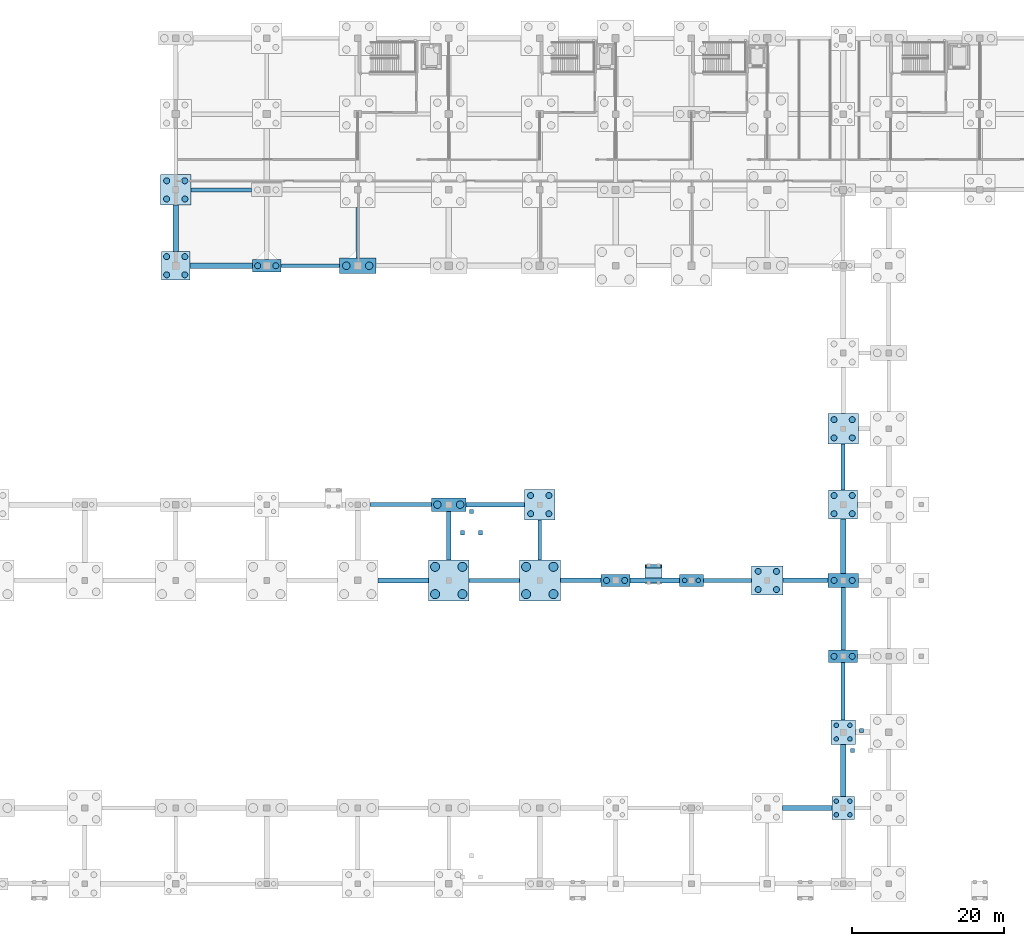
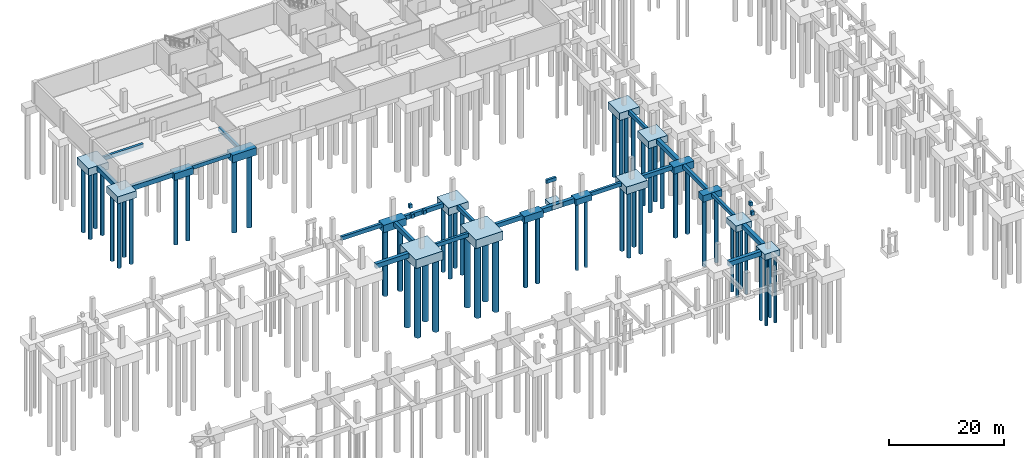
# One storey, part 3 of 19: 54 piles, 45 footings.
"""IFC4 building model written with IfcOpenShell, lengths in metres."""

from ifc_helpers import new_model, si_unit, direction, frame, origin, origin_2d, place, context, subcontext, project, spatial, polyline, rectangle, circle, outline, extrude, material, material_profile, profile_set, type_object, element, save


model = new_model("IFC4")

# Units and contexts
model_context = context("Model", 3, precision=1e-05, world=origin(), true_north=direction((0.0, 1.0)))
body_context = subcontext(model_context, "Body", "Model", "MODEL_VIEW")
ifc_project = project(units=[si_unit("LENGTHUNIT", "METRE"), si_unit("AREAUNIT", "SQUARE_METRE"), si_unit("VOLUMEUNIT", "CUBIC_METRE"), si_unit("PLANEANGLEUNIT", "RADIAN"), si_unit("MASSUNIT", "GRAM", prefix="KILO")], contexts=[model_context])

# Site, building, storey
site_placement = place(None, origin())
site = spatial("IfcSite", under=ifc_project, at=site_placement, CompositionType="ELEMENT")
building_placement = place(site_placement, origin())
building = spatial("IfcBuilding", under=site, at=building_placement, Name="Mersad Railyard Sports Hall", CompositionType="ELEMENT")
storey_placement = place(building_placement, frame((0.0, 0.0, -4.5)))
storey = spatial("IfcBuildingStorey", under=building, at=storey_placement, Name="B1", CompositionType="ELEMENT", Elevation=-4.5)

# Footings
ifc_material = material(Name="Concrete C40/50", Category="concrete")
footing_type_1 = type_object("IfcFootingType", Name="STR-FT-FB01", PredefinedType="FOOTING_BEAM", material=ifc_material)
footing_1_placement = place(storey_placement, frame((0.0, 0.0, -0.800048828125)))
element("IfcFooting", 1, at=footing_1_placement, inside=storey, type_object=footing_type_1, Name="Ground beam FB01-0037", PredefinedType="FOOTING_BEAM", context=body_context, shape_type="SweptSolid", body=[
    extrude(outline(polyline([(81.699951171875, 43.25), (88.300048828125, 43.25), (88.300048828125, 43.75), (81.699951171875, 43.75), (81.699951171875, 43.25)])), origin(), (0.0, 0.0, 1.0), 0.800048828125),
])
footing_2_placement = place(storey_placement, frame((0.0, 0.0, -0.800048828125)))
element("IfcFooting", 2, at=footing_2_placement, inside=storey, type_object=footing_type_1, Name="Ground beam FB01-0040", PredefinedType="FOOTING_BEAM", context=body_context, shape_type="SweptSolid", body=[
    extrude(outline(polyline([(112.60009765625, 43.25), (118.89990234375, 43.25), (118.89990234375, 43.75), (112.60009765625, 43.75), (112.60009765625, 43.25)])), origin(), (0.0, 0.0, 1.0), 0.800048828125),
])
footing_3_placement = place(storey_placement, frame((0.0, 0.0, -0.800048828125)))
element("IfcFooting", 3, at=footing_3_placement, inside=storey, type_object=footing_type_1, Name="Ground beam FB01-0049", PredefinedType="FOOTING_BEAM", context=body_context, shape_type="SweptSolid", body=[
    extrude(outline(polyline([(68.60009765625, 53.25), (76.699951171875, 53.25), (76.699951171875, 53.75), (68.60009765625, 53.75), (68.60009765625, 53.25)])), origin(), (0.0, 0.0, 1.0), 0.800048828125),
])
footing_4_placement = place(storey_placement, frame((0.0, 0.0, -0.800048828125)))
element("IfcFooting", 4, at=footing_4_placement, inside=storey, type_object=footing_type_1, Name="Ground beam FB01-0058", PredefinedType="FOOTING_BEAM", context=body_context, shape_type="SweptSolid", body=[
    extrude(outline(polyline([(56.89990234375, 84.75), (64.60009765625, 84.75), (64.60009765625, 85.25), (56.89990234375, 85.25), (56.89990234375, 84.75)])), origin(), (0.0, 0.0, 1.0), 0.800048828125),
])
footing_5_placement = place(storey_placement, frame((0.0, 0.0, -0.800048828125)))
element("IfcFooting", 5, at=footing_5_placement, inside=storey, type_object=footing_type_1, Name="Ground beam FB01-0067", PredefinedType="FOOTING_BEAM", context=body_context, shape_type="SweptSolid", body=[
    extrude(outline(polyline([(45.0, 94.75), (53.0, 94.75), (53.0, 95.25), (45.0, 95.25), (45.0, 94.75)])), origin(), (0.0, 0.0, 1.0), 0.800048828125),
])
footing_6_placement = place(storey_placement, frame((0.0, 0.0, -0.800048828125)))
element("IfcFooting", 6, at=footing_6_placement, inside=storey, type_object=footing_type_1, Name="Ground beam FB01-0124", PredefinedType="FOOTING_BEAM", context=body_context, shape_type="SweptSolid", body=[
    extrude(outline(polyline([(66.75, 86.0), (67.25, 86.0), (67.25, 92.699951171875), (66.75, 92.699951171875), (66.75, 86.0)])), origin(), (0.0, 0.0, 1.0), 0.800048828125),
])
footing_7_placement = place(storey_placement, frame((0.0, 0.0, -0.800048828125)))
element("IfcFooting", 7, at=footing_7_placement, inside=storey, type_object=footing_type_1, Name="Ground beam FB01-0133", PredefinedType="FOOTING_BEAM", context=body_context, shape_type="SweptSolid", body=[
    extrude(outline(polyline([(90.75, 46.199951171875), (91.25, 46.199951171875), (91.25, 51.5), (90.75, 51.5), (90.75, 46.199951171875)])), origin(), (0.0, 0.0, 1.0), 0.800048828125),
])
footing_8_placement = place(storey_placement, frame((0.0, 0.0, -0.800048828125)))
element("IfcFooting", 8, at=footing_8_placement, inside=storey, type_object=footing_type_1, Name="Ground beam FB01-0151", PredefinedType="FOOTING_BEAM", context=body_context, shape_type="SweptSolid", body=[
    extrude(outline(polyline([(130.75, 25.10009765625), (131.25, 25.10009765625), (131.25, 32.699951171875), (130.75, 32.699951171875), (130.75, 25.10009765625)])), origin(), (0.0, 0.0, 1.0), 0.800048828125),
])
footing_9_placement = place(storey_placement, frame((0.0, 0.0, -0.800048828125)))
element("IfcFooting", 9, at=footing_9_placement, inside=storey, type_object=footing_type_1, Name="Ground beam FB01-0154", PredefinedType="FOOTING_BEAM", context=body_context, shape_type="SweptSolid", body=[
    extrude(outline(polyline([(130.75, 55.39990234375), (131.25, 55.39990234375), (131.25, 61.5), (130.75, 61.5), (130.75, 55.39990234375)])), origin(), (0.0, 0.0, 1.0), 0.800048828125),
])
footing_type_2 = type_object("IfcFootingType", Name="STR-FT-FB02", PredefinedType="FOOTING_BEAM", material=ifc_material)
footing_10_placement = place(storey_placement, frame((0.0, 0.0, -0.89990234375)))
element("IfcFooting", 10, at=footing_10_placement, inside=storey, type_object=footing_type_2, Name="Ground beam FB02-0038", PredefinedType="FOOTING_BEAM", context=body_context, shape_type="SweptSolid", body=[
    extrude(outline(polyline([(93.699951171875, 43.199951171875), (99.10009765625, 43.199951171875), (99.10009765625, 43.800048828125), (93.699951171875, 43.800048828125), (93.699951171875, 43.199951171875)])), origin(), (0.0, 0.0, 1.0), 0.89990234375),
])
footing_11_placement = place(storey_placement, frame((0.0, 0.0, -0.89990234375)))
element("IfcFooting", 11, at=footing_11_placement, inside=storey, type_object=footing_type_2, Name="Ground beam FB02-0041", PredefinedType="FOOTING_BEAM", context=body_context, shape_type="SweptSolid", body=[
    extrude(outline(polyline([(123.10009765625, 43.199951171875), (129.0, 43.199951171875), (129.0, 43.800048828125), (123.10009765625, 43.800048828125), (123.10009765625, 43.199951171875)])), origin(), (0.0, 0.0, 1.0), 0.89990234375),
])
footing_12_placement = place(storey_placement, frame((0.0, 0.0, -0.89990234375)))
element("IfcFooting", 12, at=footing_12_placement, inside=storey, type_object=footing_type_2, Name="Ground beam FB02-0050", PredefinedType="FOOTING_BEAM", context=body_context, shape_type="SweptSolid", body=[
    extrude(outline(polyline([(81.300048828125, 53.199951171875), (89.0, 53.199951171875), (89.0, 53.800048828125), (81.300048828125, 53.800048828125), (81.300048828125, 53.199951171875)])), origin(), (0.0, 0.0, 1.0), 0.89990234375),
])
footing_13_placement = place(storey_placement, frame((0.0, 0.0, -0.89990234375)))
element("IfcFooting", 13, at=footing_13_placement, inside=storey, type_object=footing_type_2, Name="Ground beam FB02-0128", PredefinedType="FOOTING_BEAM", context=body_context, shape_type="SweptSolid", body=[
    extrude(outline(polyline([(78.699951171875, 46.199951171875), (79.300048828125, 46.199951171875), (79.300048828125, 52.60009765625), (78.699951171875, 52.60009765625), (78.699951171875, 46.199951171875)])), origin(), (0.0, 0.0, 1.0), 0.89990234375),
])
footing_14_placement = place(storey_placement, frame((0.0, 0.0, -0.89990234375)))
element("IfcFooting", 14, at=footing_14_placement, inside=storey, type_object=footing_type_2, Name="Ground beam FB02-0152", PredefinedType="FOOTING_BEAM", context=body_context, shape_type="SweptSolid", body=[
    extrude(outline(polyline([(130.699951171875, 34.300048828125), (131.300048828125, 34.300048828125), (131.300048828125, 42.60009765625), (130.699951171875, 42.60009765625), (130.699951171875, 34.300048828125)])), origin(), (0.0, 0.0, 1.0), 0.89990234375),
])
footing_type_3 = type_object("IfcFootingType", Name="STR-FT-FB03", PredefinedType="FOOTING_BEAM", material=ifc_material)
footing_15_placement = place(storey_placement, frame((0.0, 0.0, -1.0)))
element("IfcFooting", 15, at=footing_15_placement, inside=storey, type_object=footing_type_3, Name="Ground beam FB03-0024", PredefinedType="FOOTING_BEAM", context=body_context, shape_type="SweptSolid", body=[
    extrude(outline(polyline([(123.0, 13.14990234375), (129.5, 13.14990234375), (129.5, 13.85009765625), (123.0, 13.85009765625), (123.0, 13.14990234375)])), origin(), (0.0, 0.0, 1.0), 1.0),
])
footing_16_placement = place(storey_placement, frame((0.0, 0.0, -1.0)))
element("IfcFooting", 16, at=footing_16_placement, inside=storey, type_object=footing_type_3, Name="Ground beam FB03-0036", PredefinedType="FOOTING_BEAM", context=body_context, shape_type="SweptSolid", body=[
    extrude(outline(polyline([(69.699951171875, 43.14990234375), (76.300048828125, 43.14990234375), (76.300048828125, 43.85009765625), (69.699951171875, 43.85009765625), (69.699951171875, 43.14990234375)])), origin(), (0.0, 0.0, 1.0), 1.0),
])
footing_17_placement = place(storey_placement, frame((0.0, 0.0, -1.0)))
element("IfcFooting", 17, at=footing_17_placement, inside=storey, type_object=footing_type_3, Name="Ground beam FB03-0039", PredefinedType="FOOTING_BEAM", context=body_context, shape_type="SweptSolid", body=[
    extrude(outline(polyline([(102.89990234375, 43.14990234375), (109.39990234375, 43.14990234375), (109.39990234375, 43.85009765625), (102.89990234375, 43.85009765625), (102.89990234375, 43.14990234375)])), origin(), (0.0, 0.0, 1.0), 1.0),
])
footing_18_placement = place(storey_placement, frame((0.0, 0.0, -1.0)))
element("IfcFooting", 18, at=footing_18_placement, inside=storey, type_object=footing_type_3, Name="Ground beam FB03-0057", PredefinedType="FOOTING_BEAM", context=body_context, shape_type="SweptSolid", body=[
    extrude(outline(polyline([(44.89990234375, 84.64990234375), (53.10009765625, 84.64990234375), (53.10009765625, 85.35009765625), (44.89990234375, 85.35009765625), (44.89990234375, 84.64990234375)])), origin(), (0.0, 0.0, 1.0), 1.0),
])
footing_19_placement = place(storey_placement, frame((0.0, 0.0, -1.0)))
element("IfcFooting", 19, at=footing_19_placement, inside=storey, type_object=footing_type_3, Name="Ground beam FB03-0114", PredefinedType="FOOTING_BEAM", context=body_context, shape_type="SweptSolid", body=[
    extrude(outline(polyline([(42.64990234375, 86.89990234375), (43.35009765625, 86.89990234375), (43.35009765625, 93.0), (42.64990234375, 93.0), (42.64990234375, 86.89990234375)])), origin(), (0.0, 0.0, 1.0), 1.0),
])
footing_20_placement = place(storey_placement, frame((0.0, 0.0, -1.0)))
element("IfcFooting", 20, at=footing_20_placement, inside=storey, type_object=footing_type_3, Name="Ground beam FB03-0150", PredefinedType="FOOTING_BEAM", context=body_context, shape_type="SweptSolid", body=[
    extrude(outline(polyline([(130.64990234375, 15.0), (131.35009765625, 15.0), (131.35009765625, 21.89990234375), (130.64990234375, 21.89990234375), (130.64990234375, 15.0)])), origin(), (0.0, 0.0, 1.0), 1.0),
])
footing_21_placement = place(storey_placement, frame((0.0, 0.0, -1.0)))
element("IfcFooting", 21, at=footing_21_placement, inside=storey, type_object=footing_type_3, Name="Ground beam FB03-0153", PredefinedType="FOOTING_BEAM", context=body_context, shape_type="SweptSolid", body=[
    extrude(outline(polyline([(130.64990234375, 44.39990234375), (131.35009765625, 44.39990234375), (131.35009765625, 51.60009765625), (130.64990234375, 51.60009765625), (130.64990234375, 44.39990234375)])), origin(), (0.0, 0.0, 1.0), 1.0),
])
footing_type_4 = type_object("IfcFootingType", Name="STR-FT-PC02", PredefinedType="PILE_CAP", material=ifc_material)
footing_22_placement = place(storey_placement, frame((111.0, 43.5, -1.25), z_axis=(0.0, 0.0, 1.0), x_axis=(1.0, 0.0, 0.0)))
element("IfcFooting", 22, at=footing_22_placement, inside=storey, type_object=footing_type_4, Name="Pile cap PC02 at (111.0,43.5)", PredefinedType="PILE_CAP", context=body_context, shape_type="SweptSolid", body=[
    extrude(rectangle(XDim=3.199951171875, YDim=1.60009765625, at=origin_2d()), origin(), (0.0, 0.0, 1.0), 1.25),
])
footing_type_5 = type_object("IfcFootingType", Name="STR-FT-PC03", PredefinedType="PILE_CAP", material=ifc_material)
footing_23_placement = place(storey_placement, frame((131.0, 13.5, -1.2998046875), z_axis=(0.0, 0.0, 1.0), x_axis=(1.0, 0.0, 0.0)))
element("IfcFooting", 23, at=footing_23_placement, inside=storey, type_object=footing_type_5, Name="Pile cap PC03 at (131.0,13.5)", PredefinedType="PILE_CAP", context=body_context, shape_type="SweptSolid", body=[
    extrude(rectangle(XDim=3.0, YDim=3.0, at=origin_2d()), origin(), (0.0, 0.0, 1.0), 1.300048828125),
])
footing_type_6 = type_object("IfcFootingType", Name="STR-FT-PC04", PredefinedType="PILE_CAP", material=ifc_material)
footing_24_placement = place(storey_placement, frame((131.0, 23.5, -1.35009765625), z_axis=(0.0, 0.0, 1.0), x_axis=(1.0, 0.0, 0.0)))
element("IfcFooting", 24, at=footing_24_placement, inside=storey, type_object=footing_type_6, Name="Pile cap PC04 at (131.0,23.5)", PredefinedType="PILE_CAP", context=body_context, shape_type="SweptSolid", body=[
    extrude(rectangle(XDim=3.199951171875, YDim=3.199951171875, at=origin_2d()), origin(), (0.0, 0.0, 1.0), 1.35009765625),
])
footing_type_7 = type_object("IfcFootingType", Name="STR-FT-PC05", PredefinedType="PILE_CAP", material=ifc_material)
for number, where, z_axis, x_axis, name in (
    (25, (55.0, 85.0, -1.39990234375), (0.0, 0.0, 1.0), (1.0, 0.0, 0.0), "Pile cap PC05 at (55.0,85.0)"),
    (26, (101.0, 43.5, -1.39990234375), (0.0, 0.0, 1.0), (1.0, 0.0, 0.0), "Pile cap PC05 at (101.0,43.5)"),
    (27, (131.0, 33.5, -1.39990234375), (0.0, 0.0, 1.0), (1.0, 0.0, 0.0), "Pile cap PC05 at (131.0,33.5)"),
):
    element("IfcFooting", number, at=place(storey_placement, frame(where, z_axis=z_axis, x_axis=x_axis)), inside=storey, type_object=footing_type_7, Name=name, PredefinedType="PILE_CAP", context=body_context, shape_type="SweptSolid", body=[
        extrude(rectangle(XDim=3.800048828125, YDim=1.60009765625, at=origin_2d()), origin(), (0.0, 0.0, 1.0), 1.39990234375),
    ])
footing_type_8 = type_object("IfcFootingType", Name="STR-FT-PC06", PredefinedType="PILE_CAP", material=ifc_material)
footing_25_placement = place(storey_placement, frame((131.0, 43.5, -1.4501953125), z_axis=(0.0, 0.0, 1.0), x_axis=(1.0, 0.0, 0.0)))
element("IfcFooting", 28, at=footing_25_placement, inside=storey, type_object=footing_type_8, Name="Pile cap PC06 at (131.0,43.5)", PredefinedType="PILE_CAP", context=body_context, shape_type="SweptSolid", body=[
    extrude(rectangle(XDim=4.0, YDim=1.800048828125, at=origin_2d()), origin(), (0.0, 0.0, 1.0), 1.449951171875),
])
footing_type_9 = type_object("IfcFootingType", Name="STR-FT-PC07", PredefinedType="PILE_CAP", material=ifc_material)
for number, where, z_axis, x_axis, name in (
    (29, (43.0, 85.0, -1.5), (0.0, 0.0, 1.0), (1.0, 0.0, 0.0), "Pile cap PC07 at (43.0,85.0)"),
    (30, (131.0, 53.5, -1.5), (0.0, 0.0, 1.0), (1.0, 0.0, 0.0), "Pile cap PC07 at (131.0,53.5)"),
):
    element("IfcFooting", number, at=place(storey_placement, frame(where, z_axis=z_axis, x_axis=x_axis)), inside=storey, type_object=footing_type_9, Name=name, PredefinedType="PILE_CAP", context=body_context, shape_type="SweptSolid", body=[
        extrude(rectangle(XDim=3.800048828125, YDim=3.800048828125, at=origin_2d()), origin(), (0.0, 0.0, 1.0), 1.5),
    ])
footing_type_10 = type_object("IfcFootingType", Name="STR-FT-PC08", PredefinedType="PILE_CAP", material=ifc_material)
for number, where, z_axis, x_axis, name in (
    (31, (43.0, 95.0, -1.5498046875), (0.0, 0.0, 1.0), (1.0, 0.0, 0.0), "Pile cap PC08 at (43.0,95.0)"),
    (32, (91.0, 53.5, -1.5498046875), (0.0, 0.0, 1.0), (1.0, 0.0, 0.0), "Pile cap PC08 at (91.0,53.5)"),
    (33, (131.0, 63.5, -1.5498046875), (0.0, 0.0, 1.0), (1.0, 0.0, 0.0), "Pile cap PC08 at (131.0,63.5)"),
):
    element("IfcFooting", number, at=place(storey_placement, frame(where, z_axis=z_axis, x_axis=x_axis)), inside=storey, type_object=footing_type_10, Name=name, PredefinedType="PILE_CAP", context=body_context, shape_type="SweptSolid", body=[
        extrude(rectangle(XDim=4.0, YDim=4.0, at=origin_2d()), origin(), (0.0, 0.0, 1.0), 1.550048828125),
    ])
footing_type_11 = type_object("IfcFootingType", Name="STR-FT-PC09", PredefinedType="PILE_CAP", material=ifc_material)
footing_26_placement = place(storey_placement, frame((121.0, 43.5, -1.60009765625), z_axis=(0.0, 0.0, 1.0), x_axis=(1.0, 0.0, 0.0)))
element("IfcFooting", 34, at=footing_26_placement, inside=storey, type_object=footing_type_11, Name="Pile cap PC09 at (121.0,43.5)", PredefinedType="PILE_CAP", context=body_context, shape_type="SweptSolid", body=[
    extrude(rectangle(XDim=4.199951171875, YDim=3.800048828125, at=origin_2d()), origin(), (0.0, 0.0, 1.0), 1.60009765625),
])
footing_type_12 = type_object("IfcFootingType", Name="STR-FT-PC10", PredefinedType="PILE_CAP", material=ifc_material)
footing_27_placement = place(storey_placement, frame((79.0, 53.5, -1.5498046875), z_axis=(0.0, 0.0, 1.0), x_axis=(1.0, 0.0, 0.0)))
element("IfcFooting", 35, at=footing_27_placement, inside=storey, type_object=footing_type_12, Name="Pile cap PC10 at (79.0,53.5)", PredefinedType="PILE_CAP", context=body_context, shape_type="SweptSolid", body=[
    extrude(rectangle(XDim=4.60009765625, YDim=1.800048828125, at=origin_2d()), origin(), (0.0, 0.0, 1.0), 1.550048828125),
])
footing_type_13 = type_object("IfcFootingType", Name="STR-FT-PC11", PredefinedType="PILE_CAP", material=ifc_material)
footing_28_placement = place(storey_placement, frame((67.0, 85.0, -1.60009765625), z_axis=(0.0, 0.0, 1.0), x_axis=(1.0, 0.0, 0.0)))
element("IfcFooting", 36, at=footing_28_placement, inside=storey, type_object=footing_type_13, Name="Pile cap PC11 at (67.0,85.0)", PredefinedType="PILE_CAP", context=body_context, shape_type="SweptSolid", body=[
    extrude(rectangle(XDim=4.800048828125, YDim=2.0, at=origin_2d()), origin(), (0.0, 0.0, 1.0), 1.60009765625),
])
footing_type_14 = type_object("IfcFootingType", Name="STR-FT-PC17", PredefinedType="PILE_CAP", material=ifc_material)
for number, where, z_axis, x_axis, name in (
    (37, (79.0, 43.5, -1.85009765625), (0.0, 0.0, 1.0), (1.0, 0.0, 0.0), "Pile cap PC17 at (79.0,43.5)"),
    (38, (91.0, 43.5, -1.85009765625), (0.0, 0.0, 1.0), (1.0, 0.0, 0.0), "Pile cap PC17 at (91.0,43.5)"),
):
    element("IfcFooting", number, at=place(storey_placement, frame(where, z_axis=z_axis, x_axis=x_axis)), inside=storey, type_object=footing_type_14, Name=name, PredefinedType="PILE_CAP", context=body_context, shape_type="SweptSolid", body=[
        extrude(rectangle(XDim=5.39990234375, YDim=5.39990234375, at=origin_2d()), origin(), (0.0, 0.0, 1.0), 1.85009765625),
    ])
footing_type_15 = type_object("IfcFootingType", Name="STR-FT-PF01", PredefinedType="PAD_FOOTING", material=ifc_material)
footing_29_placement = place(storey_placement, frame((106.0, 45.39990234375, 3.39990234375), z_axis=(0.0, 0.0, 1.0), x_axis=(1.0, 0.0, 0.0)))
element("IfcFooting", 39, at=footing_29_placement, inside=storey, type_object=footing_type_15, Name="Courtyard foyer accessible ramp grade bed footing", PredefinedType="PAD_FOOTING", context=body_context, shape_type="SweptSolid", body=[
    extrude(rectangle(XDim=1.949951171875, YDim=0.449951171875, at=origin_2d()), origin(), (0.0, 0.0, 1.0), 0.75),
])
for number, where, z_axis, x_axis, name in (
    (40, (132.22509765625, 21.10009765625, 1.9501953125), (0.0, 0.0, 1.0), (1.0, 0.0, 0.0), "Lift PL-05 pit corner pad 1"),
    (41, (133.39990234375, 23.699951171875, 1.9501953125), (0.0, 0.0, 1.0), (1.0, 0.0, 0.0), "Lift PL-05 pit corner pad 3"),
    (42, (80.800048828125, 49.800048828125, 1.9501953125), (0.0, 0.0, 1.0), (1.0, 0.0, 0.0), "Lift PL-10 pit corner pad 1"),
    (43, (83.199951171875, 49.800048828125, 1.9501953125), (0.0, 0.0, 1.0), (1.0, 0.0, 0.0), "Lift PL-10 pit corner pad 2"),
    (44, (82.0, 52.60009765625, 1.9501953125), (0.0, 0.0, 1.0), (1.0, 0.0, 0.0), "Lift PL-10 pit corner pad 3"),
):
    element("IfcFooting", number, at=place(storey_placement, frame(where, z_axis=z_axis, x_axis=x_axis)), inside=storey, type_object=footing_type_15, Name=name, PredefinedType="PAD_FOOTING", context=body_context, shape_type="SweptSolid", body=[
        extrude(rectangle(XDim=0.550048828125, YDim=0.550048828125, at=origin_2d()), origin(), (0.0, 0.0, 1.0), 0.800048828125),
    ])
footing_type_16 = type_object("IfcFootingType", Name="STR-FT-PF05", PredefinedType="PAD_FOOTING", material=ifc_material)
footing_30_placement = place(storey_placement, frame((106.0, 44.35009765625, -0.89990234375), z_axis=(0.0, 0.0, 1.0), x_axis=(1.0, 0.0, 0.0)))
element("IfcFooting", 45, at=footing_30_placement, inside=storey, type_object=footing_type_16, Name="Courtyard foyer accessible ramp foundation pad", PredefinedType="PAD_FOOTING", context=body_context, shape_type="SweptSolid", body=[
    extrude(rectangle(XDim=2.199951171875, YDim=2.5, at=origin_2d()), origin(), (0.0, 0.0, 1.0), 0.89990234375),
])

# Piles
ifc_material_profile_1 = material_profile(ifc_material, circle(Radius=0.5, at=origin_2d()), Name="BORED PILE D1000")
ifc_profile_set_1 = profile_set([ifc_material_profile_1], Name="Concrete C40/50")
pile_type_1 = type_object("IfcPileType", Name="STR-PL-P1000", PredefinedType="BORED", material=ifc_profile_set_1)
for number, where, z_axis, x_axis, name in (
    (46, (65.5, 85.0, -1.449951171875), (0.0, 0.0, -1.0), (1.0, 0.0, 0.0), "Bored pile PL03-0103"),
    (47, (68.5, 85.0, -1.449951171875), (0.0, 0.0, -1.0), (1.0, 0.0, 0.0), "Bored pile PL03-0104"),
):
    element("IfcPile", number, at=place(storey_placement, frame(where, z_axis=z_axis, x_axis=x_axis)), inside=storey, type_object=pile_type_1, Name=name, PredefinedType="BORED", context=body_context, shape_type="SweptSolid", body=[
        extrude(circle(Radius=0.5, at=origin_2d()), origin(), (0.0, 0.0, 1.0), 15.550048828125),
    ])
for number, where, z_axis, x_axis, name in (
    (48, (77.5, 53.5, -1.39990234375), (0.0, 0.0, -1.0), (1.0, 0.0, 0.0), "Bored pile PL03-0127"),
    (49, (80.5, 53.5, -1.39990234375), (0.0, 0.0, -1.0), (1.0, 0.0, 0.0), "Bored pile PL03-0128"),
):
    element("IfcPile", number, at=place(storey_placement, frame(where, z_axis=z_axis, x_axis=x_axis)), inside=storey, type_object=pile_type_1, Name=name, PredefinedType="BORED", context=body_context, shape_type="SweptSolid", body=[
        extrude(circle(Radius=0.5, at=origin_2d()), origin(), (0.0, 0.0, 1.0), 14.10009765625),
    ])
ifc_material_profile_2 = material_profile(ifc_material, circle(Radius=0.60009765625, at=origin_2d()), Name="BORED PILE D1200")
ifc_profile_set_2 = profile_set([ifc_material_profile_2], Name="Concrete C40/50")
pile_type_2 = type_object("IfcPileType", Name="STR-PL-P1200", PredefinedType="BORED", material=ifc_profile_set_2)
for number, where, z_axis, x_axis, name in (
    (50, (77.199951171875, 41.699951171875, -1.699951171875), (0.0, 0.0, -1.0), (1.0, 0.0, 0.0), "Bored pile PL04-0123"),
    (51, (80.800048828125, 41.699951171875, -1.699951171875), (0.0, 0.0, -1.0), (1.0, 0.0, 0.0), "Bored pile PL04-0124"),
    (52, (77.199951171875, 45.300048828125, -1.699951171875), (0.0, 0.0, -1.0), (1.0, 0.0, 0.0), "Bored pile PL04-0125"),
    (53, (80.800048828125, 45.300048828125, -1.699951171875), (0.0, 0.0, -1.0), (1.0, 0.0, 0.0), "Bored pile PL04-0126"),
    (54, (89.199951171875, 41.699951171875, -1.699951171875), (0.0, 0.0, -1.0), (1.0, 0.0, 0.0), "Bored pile PL04-0147"),
    (55, (92.800048828125, 41.699951171875, -1.699951171875), (0.0, 0.0, -1.0), (1.0, 0.0, 0.0), "Bored pile PL04-0148"),
    (56, (89.199951171875, 45.300048828125, -1.699951171875), (0.0, 0.0, -1.0), (1.0, 0.0, 0.0), "Bored pile PL04-0149"),
    (57, (92.800048828125, 45.300048828125, -1.699951171875), (0.0, 0.0, -1.0), (1.0, 0.0, 0.0), "Bored pile PL04-0150"),
):
    element("IfcPile", number, at=place(storey_placement, frame(where, z_axis=z_axis, x_axis=x_axis)), inside=storey, type_object=pile_type_2, Name=name, PredefinedType="BORED", context=body_context, shape_type="SweptSolid", body=[
        extrude(circle(Radius=0.60009765625, at=origin_2d()), origin(), (0.0, 0.0, 1.0), 15.300048828125),
    ])
ifc_material_profile_3 = material_profile(ifc_material, circle(Radius=0.300048828125, at=origin_2d()), Name="BORED PILE D600")
ifc_profile_set_3 = profile_set([ifc_material_profile_3], Name="Concrete C40/50")
pile_type_3 = type_object("IfcPileType", Name="STR-PL-P600", PredefinedType="BORED", material=ifc_profile_set_3)
for number, where, z_axis, x_axis, name in (
    (58, (110.10009765625, 43.5, -1.10009765625), (0.0, 0.0, -1.0), (1.0, 0.0, 0.0), "Bored pile PL01-0191"),
    (59, (111.89990234375, 43.5, -1.10009765625), (0.0, 0.0, -1.0), (1.0, 0.0, 0.0), "Bored pile PL01-0192"),
):
    element("IfcPile", number, at=place(storey_placement, frame(where, z_axis=z_axis, x_axis=x_axis)), inside=storey, type_object=pile_type_3, Name=name, PredefinedType="BORED", context=body_context, shape_type="SweptSolid", body=[
        extrude(circle(Radius=0.300048828125, at=origin_2d()), origin(), (0.0, 0.0, 1.0), 14.39990234375),
    ])
for number, where, z_axis, x_axis, name in (
    (60, (130.10009765625, 12.60009765625, -1.14990234375), (0.0, 0.0, -1.0), (1.0, 0.0, 0.0), "Bored pile PL01-0229"),
    (61, (131.89990234375, 12.60009765625, -1.14990234375), (0.0, 0.0, -1.0), (1.0, 0.0, 0.0), "Bored pile PL01-0230"),
    (62, (130.10009765625, 14.39990234375, -1.14990234375), (0.0, 0.0, -1.0), (1.0, 0.0, 0.0), "Bored pile PL01-0231"),
    (63, (131.89990234375, 14.39990234375, -1.14990234375), (0.0, 0.0, -1.0), (1.0, 0.0, 0.0), "Bored pile PL01-0232"),
):
    element("IfcPile", number, at=place(storey_placement, frame(where, z_axis=z_axis, x_axis=x_axis)), inside=storey, type_object=pile_type_3, Name=name, PredefinedType="BORED", context=body_context, shape_type="SweptSolid", body=[
        extrude(circle(Radius=0.300048828125, at=origin_2d()), origin(), (0.0, 0.0, 1.0), 14.35009765625),
    ])
for number, where, z_axis, x_axis, name in (
    (64, (130.10009765625, 22.60009765625, -1.199951171875), (0.0, 0.0, -1.0), (1.0, 0.0, 0.0), "Bored pile PL01-0233"),
    (65, (131.89990234375, 22.60009765625, -1.199951171875), (0.0, 0.0, -1.0), (1.0, 0.0, 0.0), "Bored pile PL01-0234"),
    (66, (130.10009765625, 24.39990234375, -1.199951171875), (0.0, 0.0, -1.0), (1.0, 0.0, 0.0), "Bored pile PL01-0235"),
    (67, (131.89990234375, 24.39990234375, -1.199951171875), (0.0, 0.0, -1.0), (1.0, 0.0, 0.0), "Bored pile PL01-0236"),
):
    element("IfcPile", number, at=place(storey_placement, frame(where, z_axis=z_axis, x_axis=x_axis)), inside=storey, type_object=pile_type_3, Name=name, PredefinedType="BORED", context=body_context, shape_type="SweptSolid", body=[
        extrude(circle(Radius=0.300048828125, at=origin_2d()), origin(), (0.0, 0.0, 1.0), 14.300048828125),
    ])
ifc_material_profile_4 = material_profile(ifc_material, circle(Radius=0.39990234375, at=origin_2d()), Name="BORED PILE D800")
ifc_profile_set_4 = profile_set([ifc_material_profile_4], Name="Concrete C40/50")
pile_type_4 = type_object("IfcPileType", Name="STR-PL-P800", PredefinedType="BORED", material=ifc_profile_set_4)
for number, where, z_axis, x_axis, name in (
    (68, (41.800048828125, 83.800048828125, -1.35009765625), (0.0, 0.0, -1.0), (1.0, 0.0, 0.0), "Bored pile PL02-0053"),
    (69, (44.199951171875, 83.800048828125, -1.35009765625), (0.0, 0.0, -1.0), (1.0, 0.0, 0.0), "Bored pile PL02-0054"),
    (70, (41.800048828125, 86.199951171875, -1.35009765625), (0.0, 0.0, -1.0), (1.0, 0.0, 0.0), "Bored pile PL02-0055"),
    (71, (44.199951171875, 86.199951171875, -1.35009765625), (0.0, 0.0, -1.0), (1.0, 0.0, 0.0), "Bored pile PL02-0056"),
):
    element("IfcPile", number, at=place(storey_placement, frame(where, z_axis=z_axis, x_axis=x_axis)), inside=storey, type_object=pile_type_4, Name=name, PredefinedType="BORED", context=body_context, shape_type="SweptSolid", body=[
        extrude(circle(Radius=0.39990234375, at=origin_2d()), origin(), (0.0, 0.0, 1.0), 14.14990234375),
    ])
for number, where, z_axis, x_axis, name in (
    (72, (41.800048828125, 93.800048828125, -1.39990234375), (0.0, 0.0, -1.0), (1.0, 0.0, 0.0), "Bored pile PL02-0057"),
    (73, (44.199951171875, 93.800048828125, -1.39990234375), (0.0, 0.0, -1.0), (1.0, 0.0, 0.0), "Bored pile PL02-0058"),
    (74, (41.800048828125, 96.199951171875, -1.39990234375), (0.0, 0.0, -1.0), (1.0, 0.0, 0.0), "Bored pile PL02-0059"),
    (75, (44.199951171875, 96.199951171875, -1.39990234375), (0.0, 0.0, -1.0), (1.0, 0.0, 0.0), "Bored pile PL02-0060"),
):
    element("IfcPile", number, at=place(storey_placement, frame(where, z_axis=z_axis, x_axis=x_axis)), inside=storey, type_object=pile_type_4, Name=name, PredefinedType="BORED", context=body_context, shape_type="SweptSolid", body=[
        extrude(circle(Radius=0.39990234375, at=origin_2d()), origin(), (0.0, 0.0, 1.0), 14.10009765625),
    ])
for number, where, z_axis, x_axis, name in (
    (76, (53.800048828125, 85.0, -1.25), (0.0, 0.0, -1.0), (1.0, 0.0, 0.0), "Bored pile PL02-0079"),
    (77, (56.199951171875, 85.0, -1.25), (0.0, 0.0, -1.0), (1.0, 0.0, 0.0), "Bored pile PL02-0080"),
):
    element("IfcPile", number, at=place(storey_placement, frame(where, z_axis=z_axis, x_axis=x_axis)), inside=storey, type_object=pile_type_4, Name=name, PredefinedType="BORED", context=body_context, shape_type="SweptSolid", body=[
        extrude(circle(Radius=0.39990234375, at=origin_2d()), origin(), (0.0, 0.0, 1.0), 14.25),
    ])
for number, where, z_axis, x_axis, name in (
    (78, (89.800048828125, 52.300048828125, -1.39990234375), (0.0, 0.0, -1.0), (1.0, 0.0, 0.0), "Bored pile PL02-0151"),
    (79, (92.199951171875, 52.300048828125, -1.39990234375), (0.0, 0.0, -1.0), (1.0, 0.0, 0.0), "Bored pile PL02-0152"),
    (80, (89.800048828125, 54.699951171875, -1.39990234375), (0.0, 0.0, -1.0), (1.0, 0.0, 0.0), "Bored pile PL02-0153"),
    (81, (92.199951171875, 54.699951171875, -1.39990234375), (0.0, 0.0, -1.0), (1.0, 0.0, 0.0), "Bored pile PL02-0154"),
):
    element("IfcPile", number, at=place(storey_placement, frame(where, z_axis=z_axis, x_axis=x_axis)), inside=storey, type_object=pile_type_4, Name=name, PredefinedType="BORED", context=body_context, shape_type="SweptSolid", body=[
        extrude(circle(Radius=0.39990234375, at=origin_2d()), origin(), (0.0, 0.0, 1.0), 14.10009765625),
    ])
for number, where, z_axis, x_axis, name in (
    (82, (99.800048828125, 43.5, -1.25), (0.0, 0.0, -1.0), (1.0, 0.0, 0.0), "Bored pile PL02-0173"),
    (83, (102.199951171875, 43.5, -1.25), (0.0, 0.0, -1.0), (1.0, 0.0, 0.0), "Bored pile PL02-0174"),
):
    element("IfcPile", number, at=place(storey_placement, frame(where, z_axis=z_axis, x_axis=x_axis)), inside=storey, type_object=pile_type_4, Name=name, PredefinedType="BORED", context=body_context, shape_type="SweptSolid", body=[
        extrude(circle(Radius=0.39990234375, at=origin_2d()), origin(), (0.0, 0.0, 1.0), 14.25),
    ])
for number, where, z_axis, x_axis, name in (
    (84, (119.800048828125, 42.300048828125, -1.449951171875), (0.0, 0.0, -1.0), (1.0, 0.0, 0.0), "Bored pile PL02-0211"),
    (85, (122.199951171875, 42.300048828125, -1.449951171875), (0.0, 0.0, -1.0), (1.0, 0.0, 0.0), "Bored pile PL02-0212"),
    (86, (119.800048828125, 44.699951171875, -1.449951171875), (0.0, 0.0, -1.0), (1.0, 0.0, 0.0), "Bored pile PL02-0213"),
    (87, (122.199951171875, 44.699951171875, -1.449951171875), (0.0, 0.0, -1.0), (1.0, 0.0, 0.0), "Bored pile PL02-0214"),
):
    element("IfcPile", number, at=place(storey_placement, frame(where, z_axis=z_axis, x_axis=x_axis)), inside=storey, type_object=pile_type_4, Name=name, PredefinedType="BORED", context=body_context, shape_type="SweptSolid", body=[
        extrude(circle(Radius=0.39990234375, at=origin_2d()), origin(), (0.0, 0.0, 1.0), 14.050048828125),
    ])
for number, where, z_axis, x_axis, name in (
    (88, (129.800048828125, 33.5, -1.25), (0.0, 0.0, -1.0), (1.0, 0.0, 0.0), "Bored pile PL02-0237"),
    (89, (132.199951171875, 33.5, -1.25), (0.0, 0.0, -1.0), (1.0, 0.0, 0.0), "Bored pile PL02-0238"),
):
    element("IfcPile", number, at=place(storey_placement, frame(where, z_axis=z_axis, x_axis=x_axis)), inside=storey, type_object=pile_type_4, Name=name, PredefinedType="BORED", context=body_context, shape_type="SweptSolid", body=[
        extrude(circle(Radius=0.39990234375, at=origin_2d()), origin(), (0.0, 0.0, 1.0), 14.25),
    ])
for number, where, z_axis, x_axis, name in (
    (90, (129.800048828125, 43.5, -1.300048828125), (0.0, 0.0, -1.0), (1.0, 0.0, 0.0), "Bored pile PL02-0239"),
    (91, (132.199951171875, 43.5, -1.300048828125), (0.0, 0.0, -1.0), (1.0, 0.0, 0.0), "Bored pile PL02-0240"),
):
    element("IfcPile", number, at=place(storey_placement, frame(where, z_axis=z_axis, x_axis=x_axis)), inside=storey, type_object=pile_type_4, Name=name, PredefinedType="BORED", context=body_context, shape_type="SweptSolid", body=[
        extrude(circle(Radius=0.39990234375, at=origin_2d()), origin(), (0.0, 0.0, 1.0), 14.199951171875),
    ])
for number, where, z_axis, x_axis, name in (
    (92, (129.800048828125, 52.300048828125, -1.35009765625), (0.0, 0.0, -1.0), (1.0, 0.0, 0.0), "Bored pile PL02-0241"),
    (93, (132.199951171875, 52.300048828125, -1.35009765625), (0.0, 0.0, -1.0), (1.0, 0.0, 0.0), "Bored pile PL02-0242"),
    (94, (129.800048828125, 54.699951171875, -1.35009765625), (0.0, 0.0, -1.0), (1.0, 0.0, 0.0), "Bored pile PL02-0243"),
    (95, (132.199951171875, 54.699951171875, -1.35009765625), (0.0, 0.0, -1.0), (1.0, 0.0, 0.0), "Bored pile PL02-0244"),
):
    element("IfcPile", number, at=place(storey_placement, frame(where, z_axis=z_axis, x_axis=x_axis)), inside=storey, type_object=pile_type_4, Name=name, PredefinedType="BORED", context=body_context, shape_type="SweptSolid", body=[
        extrude(circle(Radius=0.39990234375, at=origin_2d()), origin(), (0.0, 0.0, 1.0), 14.14990234375),
    ])
for number, where, z_axis, x_axis, name in (
    (96, (129.800048828125, 62.300048828125, -1.39990234375), (0.0, 0.0, -1.0), (1.0, 0.0, 0.0), "Bored pile PL02-0245"),
    (97, (132.199951171875, 62.300048828125, -1.39990234375), (0.0, 0.0, -1.0), (1.0, 0.0, 0.0), "Bored pile PL02-0246"),
    (98, (129.800048828125, 64.699951171875, -1.39990234375), (0.0, 0.0, -1.0), (1.0, 0.0, 0.0), "Bored pile PL02-0247"),
    (99, (132.199951171875, 64.699951171875, -1.39990234375), (0.0, 0.0, -1.0), (1.0, 0.0, 0.0), "Bored pile PL02-0248"),
):
    element("IfcPile", number, at=place(storey_placement, frame(where, z_axis=z_axis, x_axis=x_axis)), inside=storey, type_object=pile_type_4, Name=name, PredefinedType="BORED", context=body_context, shape_type="SweptSolid", body=[
        extrude(circle(Radius=0.39990234375, at=origin_2d()), origin(), (0.0, 0.0, 1.0), 14.10009765625),
    ])

save(model, "model.ifc")
